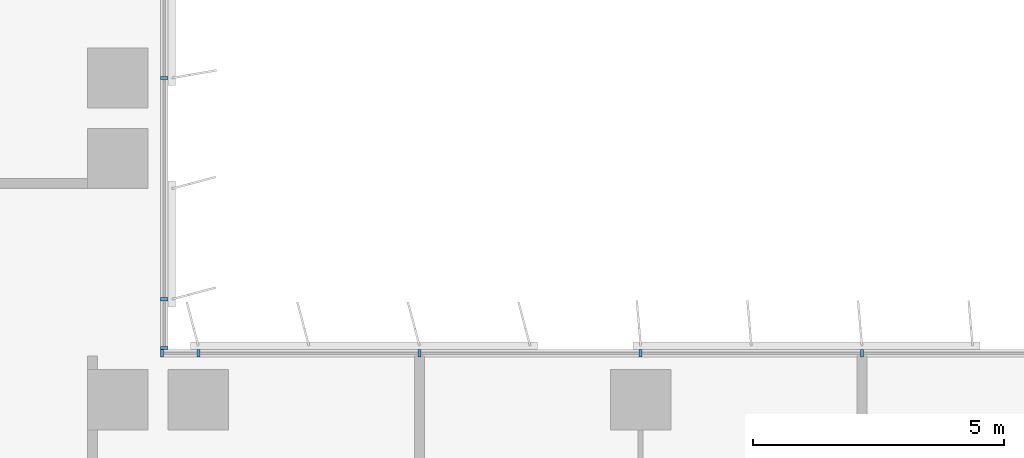
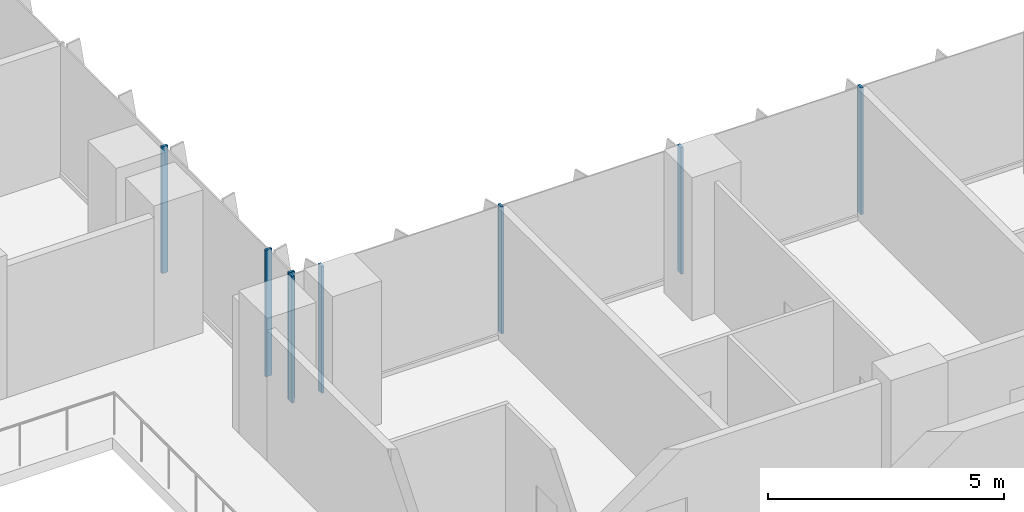
# One storey, part 2 of 22: 8 members, 2 elements without a shape of their own.
"""IFC4 building model written with IfcOpenShell, lengths in metres."""

from ifc_helpers import new_model, si_unit, direction, frame, origin, origin_2d, place, context, subcontext, project, spatial, rectangle, extrude, source, transform, mapped, material, material_profile, profile_set, type_object, element, aggregate, save


model = new_model("IFC4")

# Units and contexts
model_context = context("Model", 3, precision=1e-05, world=origin(), true_north=direction((0.0, 1.0)))
body_context = subcontext(model_context, "Body", "Model", "MODEL_VIEW")
ifc_project = project(units=[si_unit("LENGTHUNIT", "METRE"), si_unit("AREAUNIT", "SQUARE_METRE"), si_unit("VOLUMEUNIT", "CUBIC_METRE"), si_unit("PLANEANGLEUNIT", "RADIAN"), si_unit("MASSUNIT", "GRAM", prefix="KILO")], contexts=[model_context])

# Site, building, storey
site_placement = place(None, origin())
site = spatial("IfcSite", under=ifc_project, at=site_placement, CompositionType="ELEMENT")
building_placement = place(site_placement, origin())
building = spatial("IfcBuilding", under=site, at=building_placement, Name="Kemantara Hotel Tower", CompositionType="ELEMENT")
storey_placement = place(building_placement, frame((0.0, 0.0, 145.699951171875)))
storey = spatial("IfcBuildingStorey", under=building, at=storey_placement, Name="L35", CompositionType="ELEMENT", Elevation=145.699951171875)

# Curtain wall, members
ifc_material_1 = material(Name="Low-E tinted double insulated glass 36 mm", Category="glass")
curtain_wall_type = type_object("IfcCurtainWallType", Name="TOWER CURTAIN WALL, FRONT FACES", PredefinedType="USERDEFINED", material=ifc_material_1)
curtain_wall_1_placement = place(storey_placement, origin())
curtain_wall_1 = element("IfcCurtainWall", 1, at=curtain_wall_1_placement, inside=storey, type_object=curtain_wall_type, Name="CW4 L35 T2-R13-1", ObjectType="TOWER CURTAIN WALL, FRONT FACES", PredefinedType="USERDEFINED")
ifc_material_2 = material(Name="Aluminium 6063-T6 bronze anodised", Category="aluminium")
ifc_material_profile = material_profile(ifc_material_2, rectangle(XDim=0.14990234375, YDim=0.06005859375, at=origin_2d()), Name="TOWER CURTAIN WALL, FRONT FACES MULLION")
ifc_profile_set = profile_set([ifc_material_profile], Name="Aluminium 6063-T6 bronze anodised")
member_type = type_object("IfcMemberType", Name="TOWER CURTAIN WALL, FRONT FACES MULLION", PredefinedType="MULLION", material=ifc_profile_set)
shared_shape = source(origin(), body_context, "Body", "SweptSolid", [
    extrude(rectangle(XDim=0.14990234375, YDim=0.06005859375, at=origin_2d()), origin(), (0.0, 0.0, 1.0), 3.280029296875),
])
member_1_placement = place(storey_placement, frame((40.60009765625, 21.925048828125, 0.1201171875), z_axis=(0.0, 0.0, 1.0), x_axis=(0.0, -1.0, 0.0)))
member_1 = element("IfcMember", 2, at=member_1_placement, type_object=member_type, Name="CW4 mullion T2-R13-1.6", PredefinedType="MULLION", context=body_context, shape_type="MappedRepresentation", body=[
    mapped(shared_shape, transform((0.0, 0.0, 0.0))),
])
member_2_placement = place(storey_placement, frame((36.199951171875, 21.925048828125, 0.1201171875), z_axis=(0.0, 0.0, 1.0), x_axis=(0.0, -1.0, 0.0)))
member_2 = element("IfcMember", 3, at=member_2_placement, type_object=member_type, Name="CW4 mullion T2-R13-1.7", PredefinedType="MULLION", context=body_context, shape_type="MappedRepresentation", body=[
    mapped(shared_shape, transform((0.0, 0.0, 0.0))),
])
member_3_placement = place(storey_placement, frame((31.800048828125, 21.925048828125, 0.1201171875), z_axis=(0.0, 0.0, 1.0), x_axis=(0.0, -1.0, 0.0)))
member_3 = element("IfcMember", 4, at=member_3_placement, type_object=member_type, Name="CW4 mullion T2-R13-1.8", PredefinedType="MULLION", context=body_context, shape_type="MappedRepresentation", body=[
    mapped(shared_shape, transform((0.0, 0.0, 0.0))),
])
member_4_placement = place(storey_placement, frame((27.39990234375, 21.925048828125, 0.1201171875), z_axis=(0.0, 0.0, 1.0), x_axis=(0.0, -1.0, 0.0)))
member_4 = element("IfcMember", 5, at=member_4_placement, type_object=member_type, Name="CW4 mullion T2-R13-1.9", PredefinedType="MULLION", context=body_context, shape_type="MappedRepresentation", body=[
    mapped(shared_shape, transform((0.0, 0.0, 0.0))),
])
member_5_placement = place(storey_placement, frame((26.679931640625, 21.925048828125, 0.1201171875), z_axis=(0.0, 0.0, 1.0), x_axis=(0.0, -1.0, 0.0)))
member_5 = element("IfcMember", 6, at=member_5_placement, type_object=member_type, Name="CW4 mullion T2-R13-1.10", PredefinedType="MULLION", context=body_context, shape_type="MappedRepresentation", body=[
    mapped(shared_shape, transform((0.0, 0.0, 0.0))),
])
aggregate(curtain_wall_1, [member_1, member_2, member_3, member_4, member_5])

curtain_wall_2_placement = place(storey_placement, origin())
curtain_wall_2 = element("IfcCurtainWall", 7, at=curtain_wall_2_placement, inside=storey, type_object=curtain_wall_type, Name="CW4 L35 T2-R14-1", ObjectType="TOWER CURTAIN WALL, FRONT FACES", PredefinedType="USERDEFINED")
member_6_placement = place(storey_placement, frame((26.72509765625, 22.030029296875, 0.1201171875), z_axis=(0.0, 0.0, 1.0), x_axis=(-1.0, 0.0, 0.0)))
member_6 = element("IfcMember", 8, at=member_6_placement, type_object=member_type, Name="CW4 mullion T2-R14-1.1", PredefinedType="MULLION", context=body_context, shape_type="MappedRepresentation", body=[
    mapped(shared_shape, transform((0.0, 0.0, 0.0))),
])
member_7_placement = place(storey_placement, frame((26.72509765625, 23.0, 0.1201171875), z_axis=(0.0, 0.0, 1.0), x_axis=(-1.0, 0.0, 0.0)))
member_7 = element("IfcMember", 9, at=member_7_placement, type_object=member_type, Name="CW4 mullion T2-R14-1.2", PredefinedType="MULLION", context=body_context, shape_type="MappedRepresentation", body=[
    mapped(shared_shape, transform((0.0, 0.0, 0.0))),
])
member_8_placement = place(storey_placement, frame((26.72509765625, 27.39990234375, 0.1201171875), z_axis=(0.0, 0.0, 1.0), x_axis=(-1.0, 0.0, 0.0)))
member_8 = element("IfcMember", 10, at=member_8_placement, type_object=member_type, Name="CW4 mullion T2-R14-1.3", PredefinedType="MULLION", context=body_context, shape_type="MappedRepresentation", body=[
    mapped(shared_shape, transform((0.0, 0.0, 0.0))),
])
aggregate(curtain_wall_2, [member_6, member_7, member_8])

save(model, "model.ifc")
